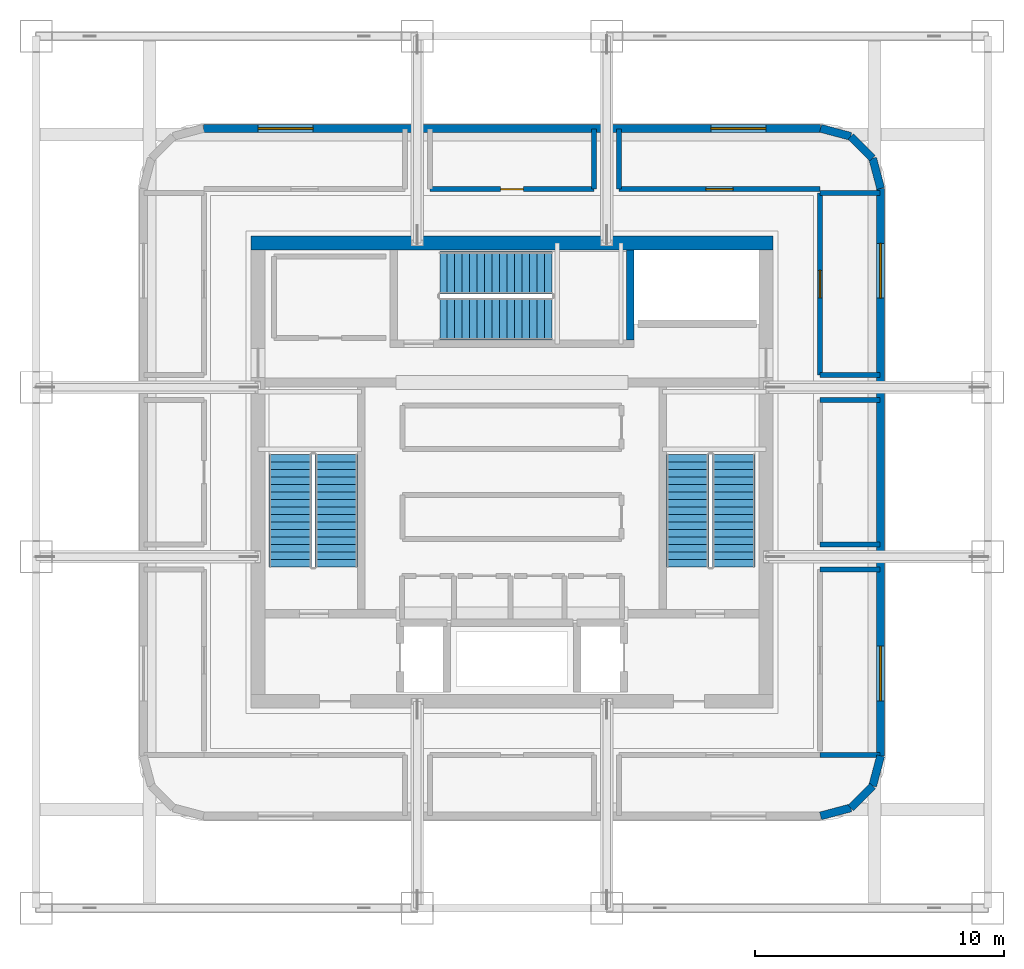
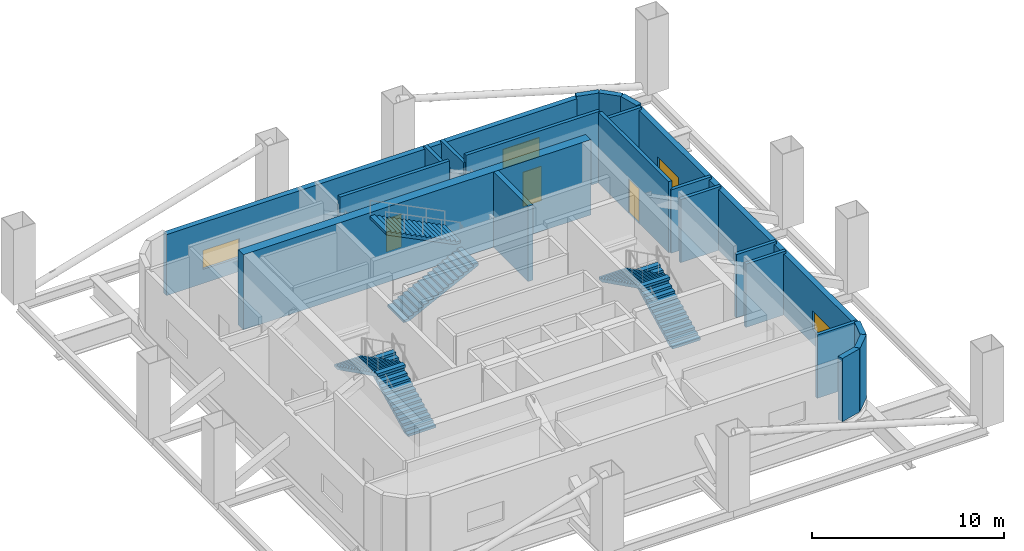
# One storey, part 6 of 8: 21 walls, 6 stair flights, 4 windows, 3 doors, 7 openings, 3 elements without a shape of their own.
"""IFC4 building model written with IfcOpenShell, lengths in metres."""

from ifc_helpers import new_model, si_unit, direction, frame, frame_2d, origin, place, context, subcontext, project, spatial, polyline, rectangle, outline, extrude, material, layer, layer_set, type_object, element, fill, aggregate, save


model = new_model("IFC4")

# Units and contexts
model_context = context("Model", 3, precision=1e-05, world=origin(), true_north=direction((0.0, 1.0)))
body_context = subcontext(model_context, "Body", "Model", "MODEL_VIEW")
ifc_project = project(units=[si_unit("LENGTHUNIT", "METRE"), si_unit("AREAUNIT", "SQUARE_METRE"), si_unit("VOLUMEUNIT", "CUBIC_METRE"), si_unit("PLANEANGLEUNIT", "RADIAN"), si_unit("MASSUNIT", "GRAM", prefix="KILO")], contexts=[model_context])

# Site, building, storey
site_placement = place(None, origin())
site = spatial("IfcSite", under=ifc_project, at=site_placement, CompositionType="ELEMENT")
building_placement = place(site_placement, origin())
building = spatial("IfcBuilding", under=site, at=building_placement, Name="Punatoya Terracotta Tower", CompositionType="ELEMENT")
storey_placement = place(building_placement, frame((0.0, 0.0, 241.800048828125)))
storey = spatial("IfcBuildingStorey", under=building, at=storey_placement, Name="L57", CompositionType="ELEMENT", Elevation=241.800048828125)

# Walls
ifc_material_1 = material(Name="Concrete C50/60", Category="concrete")
ifc_layer_1 = layer(ifc_material_1, 0.550048828125)
ifc_layer_set_1 = layer_set([ifc_layer_1], Name="Concrete C50/60")
wall_type_1 = type_object("IfcWallType", Name="WL-COR-550", PredefinedType="SHEAR", material=ifc_layer_set_1)
wall_1_placement = place(storey_placement, frame((-10.47509765625, 9.199951171875, 0.0), z_axis=(0.0, 0.0, 1.0), x_axis=(1.0, 0.0, 0.0)))
element("IfcWall", 1, at=wall_1_placement, inside=storey, type_object=wall_type_1, Name="L57 Core Shear Wall N", PredefinedType="SHEAR", context=body_context, shape_type="SweptSolid", body=[
    extrude(rectangle(XDim=20.9501953125, YDim=0.550048828125, at=frame_2d((10.47509765625, 0.0))), origin(), (0.0, 0.0, 1.0), 4.800048828125),
])
ifc_material_2 = material(Name="Precast concrete C40/50", Category="concrete")
ifc_layer_2 = layer(ifc_material_2, 0.320068359375)
ifc_layer_set_2 = layer_set([ifc_layer_2], Name="Precast concrete C40/50")
wall_type_2 = type_object("IfcWallType", Name="WL-EXT-320", PredefinedType="SOLIDWALL", material=ifc_layer_set_2)
wall_2_placement = place(storey_placement, frame((12.386962890625, -13.800048828125, 0.0), z_axis=(0.0, 0.0, 1.0), x_axis=(0.966283375382, 0.25748094776, 0.0)))
element("IfcWall", 2, at=wall_2_placement, inside=storey, type_object=wall_type_2, Name="L57 Rounded Terracotta Corner Pier 02", PredefinedType="SOLIDWALL", context=body_context, shape_type="SweptSolid", body=[
    extrude(rectangle(XDim=1.25439453125, YDim=0.320068359375, at=frame_2d((0.627197265625, 0.0))), origin(), (0.0, 0.0, 1.0), 4.033935546875),
])
wall_3_placement = place(storey_placement, frame((13.59912109375, -13.47705078125, 0.0), z_axis=(0.0, 0.0, 1.0), x_axis=(0.707106781187, 0.707106781187, 0.0)))
element("IfcWall", 3, at=wall_3_placement, inside=storey, type_object=wall_type_2, Name="L57 Rounded Terracotta Corner Pier 03", PredefinedType="SOLIDWALL", context=body_context, shape_type="SweptSolid", body=[
    extrude(rectangle(XDim=1.24169921875, YDim=0.320068359375, at=frame_2d((0.620849609375, 0.0))), origin(), (0.0, 0.0, 1.0), 4.033935546875),
])
wall_4_placement = place(storey_placement, frame((14.47705078125, -12.59912109375, 0.0), z_axis=(0.0, 0.0, 1.0), x_axis=(0.25748094776, 0.966283375382, 0.0)))
element("IfcWall", 4, at=wall_4_placement, inside=storey, type_object=wall_type_2, Name="L57 Rounded Terracotta Corner Pier 04", PredefinedType="SOLIDWALL", context=body_context, shape_type="SweptSolid", body=[
    extrude(rectangle(XDim=1.25439453125, YDim=0.320068359375, at=frame_2d((0.627197265625, 0.0))), origin(), (0.0, 0.0, 1.0), 4.033935546875),
])

# Wall, openings, windows
wall_5_placement = place(storey_placement, frame((14.800048828125, -11.386962890625, 0.0), z_axis=(0.0, 0.0, 1.0), x_axis=(0.0, 1.0, 0.0)))
wall_5 = element("IfcWall", 5, at=wall_5_placement, inside=storey, type_object=wall_type_2, Name="L57 Terracotta Louvre Plant Enclosure E", PredefinedType="SOLIDWALL", context=body_context, shape_type="SweptSolid", body=[
    extrude(rectangle(XDim=22.77392578125, YDim=0.320068359375, at=frame_2d((11.386962890625, 0.0))), origin(), (0.0, 0.0, 1.0), 3.884033203125),
])
opening_1_placement = place(wall_5_placement, frame((2.199951171875, 0.0, 0.89990234375)))
opening_1 = element("IfcOpeningElement", 6, at=opening_1_placement, cuts=wall_5, Name="Opening WN-09", PredefinedType="OPENING", context=body_context, shape_type="SweptSolid", body=[
    extrude(rectangle(XDim=2.199951171875, YDim=1.199951171875, at=frame_2d((1.10009765625, 0.60009765625))), frame((0.0, 0.169921875, 0.0), z_axis=(0.0, -1.0, 0.0), x_axis=(1.0, 0.0, 0.0)), (0.0, 0.0, 1.0), 0.340087890625),
])
opening_2_placement = place(wall_5_placement, frame((18.373779296875, 0.0, 0.89990234375)))
opening_2 = element("IfcOpeningElement", 7, at=opening_2_placement, cuts=wall_5, Name="Opening WN-09", PredefinedType="OPENING", context=body_context, shape_type="SweptSolid", body=[
    extrude(rectangle(XDim=2.199951171875, YDim=1.199951171875, at=frame_2d((1.10009765625, 0.60009765625))), frame((0.0, 0.169921875, 0.0), z_axis=(0.0, -1.0, 0.0), x_axis=(1.0, 0.0, 0.0)), (0.0, 0.0, 1.0), 0.340087890625),
])
ifc_material_3 = material(Name="Aluminium 6063-T6 + Double Low-E Glass", Category="aluminium")
window_type = type_object("IfcWindowType", Name="WIN-CLR-2200", PartitioningType="SINGLE_PANEL", PredefinedType="WINDOW", material=ifc_material_3)
window_1_placement = place(opening_1_placement, origin())
window_1 = element("IfcWindow", 8, at=window_1_placement, inside=storey, type_object=window_type, Name="L57 Refuge Daylight Window E1", OverallHeight=1.199951171875, OverallWidth=2.199951171875, PartitioningType="SINGLE_PANEL", PredefinedType="WINDOW", context=body_context, shape_type="SweptSolid", body=[
    extrude(rectangle(XDim=2.199951171875, YDim=1.199951171875, at=frame_2d((1.10009765625, 0.60009765625))), frame((0.0, 0.030029296875, 0.0), z_axis=(0.0, -1.0, 0.0), x_axis=(1.0, 0.0, 0.0)), (0.0, 0.0, 1.0), 0.06005859375),
])
fill(opening_1, window_1)
window_2_placement = place(opening_2_placement, origin())
window_2 = element("IfcWindow", 9, at=window_2_placement, inside=storey, type_object=window_type, Name="L57 Refuge Daylight Window E2", OverallHeight=1.199951171875, OverallWidth=2.199951171875, PartitioningType="SINGLE_PANEL", PredefinedType="WINDOW", context=body_context, shape_type="SweptSolid", body=[
    extrude(rectangle(XDim=2.199951171875, YDim=1.199951171875, at=frame_2d((1.10009765625, 0.60009765625))), frame((0.0, 0.030029296875, 0.0), z_axis=(0.0, -1.0, 0.0), x_axis=(1.0, 0.0, 0.0)), (0.0, 0.0, 1.0), 0.06005859375),
])
fill(opening_2, window_2)

# Walls
wall_6_placement = place(storey_placement, frame((14.800048828125, 11.386962890625, 0.0), z_axis=(0.0, 0.0, 1.0), x_axis=(-0.25748094776, 0.966283375382, 0.0)))
element("IfcWall", 10, at=wall_6_placement, inside=storey, type_object=wall_type_2, Name="L57 Rounded Terracotta Corner Pier 06", PredefinedType="SOLIDWALL", context=body_context, shape_type="SweptSolid", body=[
    extrude(rectangle(XDim=1.25439453125, YDim=0.320068359375, at=frame_2d((0.627197265625, 0.0))), origin(), (0.0, 0.0, 1.0), 4.033935546875),
])
wall_7_placement = place(storey_placement, frame((14.47705078125, 12.59912109375, 0.0), z_axis=(0.0, 0.0, 1.0), x_axis=(-0.707106781187, 0.707106781187, 0.0)))
element("IfcWall", 11, at=wall_7_placement, inside=storey, type_object=wall_type_2, Name="L57 Rounded Terracotta Corner Pier 07", PredefinedType="SOLIDWALL", context=body_context, shape_type="SweptSolid", body=[
    extrude(rectangle(XDim=1.24169921875, YDim=0.320068359375, at=frame_2d((0.620849609375, 0.0))), origin(), (0.0, 0.0, 1.0), 4.033935546875),
])
wall_8_placement = place(storey_placement, frame((13.59912109375, 13.47705078125, 0.0), z_axis=(0.0, 0.0, 1.0), x_axis=(-0.966283375382, 0.25748094776, 0.0)))
element("IfcWall", 12, at=wall_8_placement, inside=storey, type_object=wall_type_2, Name="L57 Rounded Terracotta Corner Pier 08", PredefinedType="SOLIDWALL", context=body_context, shape_type="SweptSolid", body=[
    extrude(rectangle(XDim=1.25439453125, YDim=0.320068359375, at=frame_2d((0.627197265625, 0.0))), origin(), (0.0, 0.0, 1.0), 4.033935546875),
])

# Wall, openings, windows
wall_9_placement = place(storey_placement, frame((12.386962890625, 13.800048828125, 0.0), z_axis=(0.0, 0.0, 1.0), x_axis=(-1.0, 0.0, 0.0)))
wall_9 = element("IfcWall", 13, at=wall_9_placement, inside=storey, type_object=wall_type_2, Name="L57 Terracotta Louvre Plant Enclosure N", PredefinedType="SOLIDWALL", context=body_context, shape_type="SweptSolid", body=[
    extrude(rectangle(XDim=24.77392578125, YDim=0.320068359375, at=frame_2d((12.386962890625, 0.0))), origin(), (0.0, 0.0, 1.0), 3.884033203125),
])
opening_3_placement = place(wall_9_placement, frame((2.199951171875, 0.0, 0.89990234375)))
opening_3 = element("IfcOpeningElement", 14, at=opening_3_placement, cuts=wall_9, Name="Opening WN-09", PredefinedType="OPENING", context=body_context, shape_type="SweptSolid", body=[
    extrude(rectangle(XDim=2.199951171875, YDim=1.199951171875, at=frame_2d((1.10009765625, 0.60009765625))), frame((0.0, 0.169921875, 0.0), z_axis=(0.0, -1.0, 0.0), x_axis=(1.0, 0.0, 0.0)), (0.0, 0.0, 1.0), 0.340087890625),
])
opening_4_placement = place(wall_9_placement, frame((20.373779296875, 0.0, 0.89990234375)))
opening_4 = element("IfcOpeningElement", 15, at=opening_4_placement, cuts=wall_9, Name="Opening WN-09", PredefinedType="OPENING", context=body_context, shape_type="SweptSolid", body=[
    extrude(rectangle(XDim=2.199951171875, YDim=1.199951171875, at=frame_2d((1.10009765625, 0.60009765625))), frame((0.0, 0.169921875, 0.0), z_axis=(0.0, -1.0, 0.0), x_axis=(1.0, 0.0, 0.0)), (0.0, 0.0, 1.0), 0.340087890625),
])
window_3_placement = place(opening_3_placement, origin())
window_3 = element("IfcWindow", 16, at=window_3_placement, inside=storey, type_object=window_type, Name="L57 Refuge Daylight Window N1", OverallHeight=1.199951171875, OverallWidth=2.199951171875, PartitioningType="SINGLE_PANEL", PredefinedType="WINDOW", context=body_context, shape_type="SweptSolid", body=[
    extrude(rectangle(XDim=2.199951171875, YDim=1.199951171875, at=frame_2d((1.10009765625, 0.60009765625))), frame((0.0, 0.030029296875, 0.0), z_axis=(0.0, -1.0, 0.0), x_axis=(1.0, 0.0, 0.0)), (0.0, 0.0, 1.0), 0.06005859375),
])
fill(opening_3, window_3)
window_4_placement = place(opening_4_placement, origin())
window_4 = element("IfcWindow", 17, at=window_4_placement, inside=storey, type_object=window_type, Name="L57 Refuge Daylight Window N2", OverallHeight=1.199951171875, OverallWidth=2.199951171875, PartitioningType="SINGLE_PANEL", PredefinedType="WINDOW", context=body_context, shape_type="SweptSolid", body=[
    extrude(rectangle(XDim=2.199951171875, YDim=1.199951171875, at=frame_2d((1.10009765625, 0.60009765625))), frame((0.0, 0.030029296875, 0.0), z_axis=(0.0, -1.0, 0.0), x_axis=(1.0, 0.0, 0.0)), (0.0, 0.0, 1.0), 0.06005859375),
])
fill(opening_4, window_4)

# Walls
ifc_material_4 = material(Name="Concrete C40/50", Category="concrete")
ifc_layer_3 = layer(ifc_material_4, 0.199951171875)
ifc_layer_set_3 = layer_set([ifc_layer_3], Name="Concrete C40/50")
wall_type_3 = type_object("IfcWallType", Name="WL-INT-200", PredefinedType="SOLIDWALL", material=ifc_layer_set_3)
for number, where, z_axis, x_axis, name in (
    (18, (12.360107421875, -11.35009765625, 0.0), (0.0, 0.0, 1.0), (1.0, 0.0, 0.0), "L57 Designated Pressurized Refuge Area South (East Bay) Partition 29"),
    (19, (12.360107421875, -3.89990234375, 0.0), (0.0, 0.0, 1.0), (1.0, 0.0, 0.0), "L57 East Outrigger Truss & Heat-Exchanger Plant Room (South Bay) Partition 38"),
    (20, (12.360107421875, 2.89990234375, 0.0), (0.0, 0.0, 1.0), (1.0, 0.0, 0.0), "L57 East Outrigger Truss & Heat-Exchanger Plant Room (Central Bay) Partition 41"),
    (21, (14.780029296875, -2.89990234375, 0.0), (0.0, 0.0, 1.0), (-1.0, 0.0, 0.0), "L57 East Outrigger Truss & Heat-Exchanger Plant Room (Central Bay) Partition 42"),
    (22, (14.780029296875, 3.89990234375, 0.0), (0.0, 0.0, 1.0), (-1.0, 0.0, 0.0), "L57 East Outrigger Truss & Heat-Exchanger Plant Room (North Bay) Partition 43"),
):
    element("IfcWall", number, at=place(storey_placement, frame(where, z_axis=z_axis, x_axis=x_axis)), inside=storey, type_object=wall_type_3, Name=name, PredefinedType="SOLIDWALL", context=body_context, shape_type="SweptSolid", body=[
        extrude(rectangle(XDim=2.419921875, YDim=0.199951171875, at=frame_2d((1.2099609375, 0.0))), origin(), (0.0, 0.0, 1.0), 4.033935546875),
    ])

# Wall, opening, door
wall_10_placement = place(storey_placement, frame((12.360107421875, 3.89990234375, 0.0), z_axis=(0.0, 0.0, 1.0), x_axis=(0.0, 1.0, 0.0)))
wall_10 = element("IfcWall", 23, at=wall_10_placement, inside=storey, type_object=wall_type_3, Name="L57 East Outrigger Truss & Heat-Exchanger Plant Room (North Bay) Partition 44", PredefinedType="SOLIDWALL", context=body_context, shape_type="SweptSolid", body=[
    extrude(rectangle(XDim=7.300048828125, YDim=0.199951171875, at=frame_2d((3.64990234375, 0.0))), origin(), (0.0, 0.0, 1.0), 4.5400390625),
])
opening_5_placement = place(wall_10_placement, frame((3.10009765625, 0.0, 0.0)))
opening_5 = element("IfcOpeningElement", 24, at=opening_5_placement, cuts=wall_10, Name="Opening FD-P1", PredefinedType="OPENING", context=body_context, shape_type="SweptSolid", body=[
    extrude(rectangle(XDim=1.10009765625, YDim=2.199951171875, at=frame_2d((0.550048828125, 1.10009765625))), frame((0.0, 0.10986328125, 0.0), z_axis=(0.0, -1.0, 0.0), x_axis=(1.0, 0.0, 0.0)), (0.0, 0.0, 1.0), 0.219970703125),
])
ifc_material_5 = material(Name="Galvanised Steel Plant Fire Door", Category="steel")
door_type_1 = type_object("IfcDoorType", Name="DR-PLT-1100", OperationType="NOTDEFINED", PredefinedType="DOOR", material=ifc_material_5)
door_1_placement = place(opening_5_placement, origin())
door_1 = element("IfcDoor", 25, at=door_1_placement, inside=storey, type_object=door_type_1, Name="L57 East Outrigger Truss & Heat-Exchanger Plant Room (North Bay) Fire Door", OperationType="SINGLE_SWING_LEFT", OverallHeight=2.199951171875, OverallWidth=1.10009765625, PredefinedType="DOOR", context=body_context, shape_type="SweptSolid", body=[
    extrude(rectangle(XDim=1.10009765625, YDim=2.199951171875, at=frame_2d((0.550048828125, 1.10009765625))), frame((0.0, 0.02490234375, 0.0), z_axis=(0.0, -1.0, 0.0), x_axis=(1.0, 0.0, 0.0)), (0.0, 0.0, 1.0), 0.050048828125),
])
fill(opening_5, door_1)

# Wall
wall_11_placement = place(storey_placement, frame((12.360107421875, 11.199951171875, 0.0), z_axis=(0.0, 0.0, 1.0), x_axis=(1.0, 0.0, 0.0)))
element("IfcWall", 26, at=wall_11_placement, inside=storey, type_object=wall_type_3, Name="L57 East Outrigger Truss & Heat-Exchanger Plant Room (North Bay) Partition 45", PredefinedType="SOLIDWALL", context=body_context, shape_type="SweptSolid", body=[
    extrude(rectangle(XDim=2.419921875, YDim=0.199951171875, at=frame_2d((1.2099609375, 0.0))), origin(), (0.0, 0.0, 1.0), 4.033935546875),
])

# Wall, opening, door
wall_12_placement = place(storey_placement, frame((3.300048828125, 11.360107421875, 0.0), z_axis=(0.0, 0.0, 1.0), x_axis=(-1.0, 0.0, 0.0)))
wall_12 = element("IfcWall", 27, at=wall_12_placement, inside=storey, type_object=wall_type_3, Name="L57 North Electrical Transformer Plant Room (Central Bay) Partition 48", PredefinedType="SOLIDWALL", context=body_context, shape_type="SweptSolid", body=[
    extrude(rectangle(XDim=6.60009765625, YDim=0.199951171875, at=frame_2d((3.300048828125, 0.0))), origin(), (0.0, 0.0, 1.0), 4.5400390625),
])
opening_6_placement = place(wall_12_placement, frame((2.840087890625, 0.0, 0.0)))
opening_6 = element("IfcOpeningElement", 28, at=opening_6_placement, cuts=wall_12, Name="Opening FD-R1", PredefinedType="OPENING", context=body_context, shape_type="SweptSolid", body=[
    extrude(rectangle(XDim=0.919921875, YDim=2.10009765625, at=frame_2d((0.4599609375, 1.050048828125))), frame((0.0, 0.10986328125, 0.0), z_axis=(0.0, -1.0, 0.0), x_axis=(1.0, 0.0, 0.0)), (0.0, 0.0, 1.0), 0.219970703125),
])
ifc_material_6 = material(Name="Galvanised Steel Riser Fire Access Door", Category="steel")
door_type_2 = type_object("IfcDoorType", Name="DR-RSR-920", OperationType="NOTDEFINED", PredefinedType="DOOR", material=ifc_material_6)
door_2_placement = place(opening_6_placement, origin())
door_2 = element("IfcDoor", 29, at=door_2_placement, inside=storey, type_object=door_type_2, Name="L57 North Electrical Transformer Plant Room (Central Bay) Fire Door", OperationType="SINGLE_SWING_LEFT", OverallHeight=2.10009765625, OverallWidth=0.919921875, PredefinedType="DOOR", context=body_context, shape_type="SweptSolid", body=[
    extrude(rectangle(XDim=0.919921875, YDim=2.10009765625, at=frame_2d((0.4599609375, 1.050048828125))), frame((0.0, 0.02490234375, 0.0), z_axis=(0.0, -1.0, 0.0), x_axis=(1.0, 0.0, 0.0)), (0.0, 0.0, 1.0), 0.050048828125),
])
fill(opening_6, door_2)

# Wall
wall_13_placement = place(storey_placement, frame((3.300048828125, 13.780029296875, 0.0), z_axis=(0.0, 0.0, 1.0), x_axis=(0.0, -1.0, 0.0)))
element("IfcWall", 30, at=wall_13_placement, inside=storey, type_object=wall_type_3, Name="L57 North Electrical Transformer Plant Room (Central Bay) Partition 50", PredefinedType="SOLIDWALL", context=body_context, shape_type="SweptSolid", body=[
    extrude(rectangle(XDim=2.419921875, YDim=0.199951171875, at=frame_2d((1.2099609375, 0.0))), origin(), (0.0, 0.0, 1.0), 4.033935546875),
])

# Wall, opening, door
wall_14_placement = place(storey_placement, frame((12.360107421875, 11.360107421875, 0.0), z_axis=(0.0, 0.0, 1.0), x_axis=(-1.0, 0.0, 0.0)))
wall_14 = element("IfcWall", 31, at=wall_14_placement, inside=storey, type_object=wall_type_3, Name="L57 North Electrical Transformer Plant Room (East Bay) Partition 51", PredefinedType="SOLIDWALL", context=body_context, shape_type="SweptSolid", body=[
    extrude(rectangle(XDim=8.06005859375, YDim=0.199951171875, at=frame_2d((4.030029296875, 0.0))), origin(), (0.0, 0.0, 1.0), 4.5400390625),
])
opening_7_placement = place(wall_14_placement, frame((3.47998046875, 0.0, 0.0)))
opening_7 = element("IfcOpeningElement", 32, at=opening_7_placement, cuts=wall_14, Name="Opening FD-P1", PredefinedType="OPENING", context=body_context, shape_type="SweptSolid", body=[
    extrude(rectangle(XDim=1.10009765625, YDim=2.199951171875, at=frame_2d((0.550048828125, 1.10009765625))), frame((0.0, 0.10986328125, 0.0), z_axis=(0.0, -1.0, 0.0), x_axis=(1.0, 0.0, 0.0)), (0.0, 0.0, 1.0), 0.219970703125),
])
door_3_placement = place(opening_7_placement, origin())
door_3 = element("IfcDoor", 33, at=door_3_placement, inside=storey, type_object=door_type_1, Name="L57 North Electrical Transformer Plant Room (East Bay) Fire Door", OperationType="SINGLE_SWING_RIGHT", OverallHeight=2.199951171875, OverallWidth=1.10009765625, PredefinedType="DOOR", context=body_context, shape_type="SweptSolid", body=[
    extrude(rectangle(XDim=1.10009765625, YDim=2.199951171875, at=frame_2d((0.550048828125, 1.10009765625))), frame((0.0, 0.02490234375, 0.0), z_axis=(0.0, -1.0, 0.0), x_axis=(1.0, 0.0, 0.0)), (0.0, 0.0, 1.0), 0.050048828125),
])
fill(opening_7, door_3)

# Walls
wall_15_placement = place(storey_placement, frame((4.300048828125, 11.360107421875, 0.0), z_axis=(0.0, 0.0, 1.0), x_axis=(0.0, 1.0, 0.0)))
element("IfcWall", 34, at=wall_15_placement, inside=storey, type_object=wall_type_3, Name="L57 North Electrical Transformer Plant Room (East Bay) Partition 52", PredefinedType="SOLIDWALL", context=body_context, shape_type="SweptSolid", body=[
    extrude(rectangle(XDim=2.419921875, YDim=0.199951171875, at=frame_2d((1.2099609375, 0.0))), origin(), (0.0, 0.0, 1.0), 4.033935546875),
])
ifc_layer_4 = layer(ifc_material_4, 0.300048828125)
ifc_layer_set_4 = layer_set([ifc_layer_4], Name="Concrete C40/50")
wall_type_4 = type_object("IfcWallType", Name="WL-SHF-300", PredefinedType="SOLIDWALL", material=ifc_layer_set_4)
wall_16_placement = place(storey_placement, frame((4.75, 8.925048828125, 0.0), z_axis=(0.0, 0.0, 1.0), x_axis=(0.0, -1.0, 0.0)))
element("IfcWall", 35, at=wall_16_placement, inside=storey, type_object=wall_type_4, Name="L57 Structural Stair Shaft Wall SW-ST3-E", PredefinedType="SOLIDWALL", context=body_context, shape_type="SweptSolid", body=[
    extrude(rectangle(XDim=3.625, YDim=0.300048828125, at=frame_2d((1.8125, 0.0))), origin(), (0.0, 0.0, 1.0), 4.800048828125),
])

# Stair, stair flights
stair_type_1 = type_object("IfcStairType", Name="STR-CORE-1550", PredefinedType="HALF_TURN_STAIR", material=ifc_material_4)
stair_1_placement = place(storey_placement, origin())
stair_1 = element("IfcStair", 36, at=stair_1_placement, inside=storey, type_object=stair_type_1, Name="L57 Protected Core Exit Stair ST-1", PredefinedType="HALF_TURN_STAIR")
stair_flight_type_1 = type_object("IfcStairFlightType", Name="SFL-CORE-1550", PredefinedType="STRAIGHT", material=ifc_material_4)
stair_flight_1_placement = place(storey_placement, frame((-7.050048828125, -3.800048828125, 0.0), z_axis=(0.0, 0.0, 1.0), x_axis=(0.0, 1.0, 0.0)))
stair_flight_1 = element("IfcStairFlight", 37, at=stair_flight_1_placement, type_object=stair_flight_type_1, Name="ST-1 flight 1", NumberOfRisers=16, NumberOfTreads=15, PredefinedType="STRAIGHT", RiserHeight=0.15, TreadLength=0.3, context=body_context, shape_type="SweptSolid", body=[
    extrude(outline(polyline([(0.0, 0.0), (0.0, 0.14990234375), (0.300048828125, 0.14990234375), (0.300048828125, 0.300048828125), (0.60009765625, 0.300048828125), (0.60009765625, 0.449951171875), (0.89990234375, 0.449951171875), (0.89990234375, 0.60009765625), (1.199951171875, 0.60009765625), (1.199951171875, 0.75), (1.5, 0.75), (1.5, 0.89990234375), (1.800048828125, 0.89990234375), (1.800048828125, 1.050048828125), (2.10009765625, 1.050048828125), (2.10009765625, 1.199951171875), (2.39990234375, 1.199951171875), (2.39990234375, 1.35009765625), (2.699951171875, 1.35009765625), (2.699951171875, 1.5), (3.0, 1.5), (3.0, 1.64990234375), (3.300048828125, 1.64990234375), (3.300048828125, 1.800048828125), (3.60009765625, 1.800048828125), (3.60009765625, 1.949951171875), (3.89990234375, 1.949951171875), (3.89990234375, 2.10009765625), (4.199951171875, 2.10009765625), (4.199951171875, 2.25), (4.5, 2.25), (4.5, 2.39990234375), (4.5, 2.08251953125), (0.335205078125, 0.0), (0.0, 0.0)])), frame((0.0, 0.85009765625, 0.0), z_axis=(0.0, -1.0, 0.0), x_axis=(1.0, 0.0, 0.0)), (0.0, 0.0, 1.0), 1.699951171875),
])
stair_flight_2_placement = place(storey_placement, frame((-8.89990234375, 0.699951171875, 2.39990234375), z_axis=(0.0, 0.0, 1.0), x_axis=(0.0, -1.0, 0.0)))
stair_flight_2 = element("IfcStairFlight", 38, at=stair_flight_2_placement, type_object=stair_flight_type_1, Name="ST-1 flight 2", NumberOfRisers=16, NumberOfTreads=15, PredefinedType="STRAIGHT", RiserHeight=0.15, TreadLength=0.3, context=body_context, shape_type="SweptSolid", body=[
    extrude(outline(polyline([(0.0, 0.0), (0.0, 0.14990234375), (0.300048828125, 0.14990234375), (0.300048828125, 0.300048828125), (0.60009765625, 0.300048828125), (0.60009765625, 0.449951171875), (0.89990234375, 0.449951171875), (0.89990234375, 0.60009765625), (1.199951171875, 0.60009765625), (1.199951171875, 0.75), (1.5, 0.75), (1.5, 0.89990234375), (1.800048828125, 0.89990234375), (1.800048828125, 1.050048828125), (2.10009765625, 1.050048828125), (2.10009765625, 1.199951171875), (2.39990234375, 1.199951171875), (2.39990234375, 1.35009765625), (2.699951171875, 1.35009765625), (2.699951171875, 1.5), (3.0, 1.5), (3.0, 1.64990234375), (3.300048828125, 1.64990234375), (3.300048828125, 1.800048828125), (3.60009765625, 1.800048828125), (3.60009765625, 1.949951171875), (3.89990234375, 1.949951171875), (3.89990234375, 2.10009765625), (4.199951171875, 2.10009765625), (4.199951171875, 2.25), (4.5, 2.25), (4.5, 2.39990234375), (4.5, 2.08251953125), (0.335205078125, 0.0), (0.0, 0.0)])), frame((0.0, 0.85009765625, 0.0), z_axis=(0.0, -1.0, 0.0), x_axis=(1.0, 0.0, 0.0)), (0.0, 0.0, 1.0), 1.699951171875),
])
aggregate(stair_1, [stair_flight_1, stair_flight_2])

stair_type_2 = type_object("IfcStairType", Name="STR-LOB-1650", PredefinedType="HALF_TURN_STAIR", material=ifc_material_4)
stair_2_placement = place(storey_placement, origin())
stair_2 = element("IfcStair", 39, at=stair_2_placement, inside=storey, type_object=stair_type_2, Name="L57 Protected Core Exit Stair ST-2", PredefinedType="HALF_TURN_STAIR")
stair_flight_type_2 = type_object("IfcStairFlightType", Name="SFL-LOB-1650", PredefinedType="STRAIGHT", material=ifc_material_4)
stair_flight_3_placement = place(storey_placement, frame((8.89990234375, -3.800048828125, 0.0), z_axis=(0.0, 0.0, 1.0), x_axis=(0.0, 1.0, 0.0)))
stair_flight_3 = element("IfcStairFlight", 40, at=stair_flight_3_placement, type_object=stair_flight_type_2, Name="ST-2 flight 1", NumberOfRisers=16, NumberOfTreads=15, PredefinedType="STRAIGHT", RiserHeight=0.15, TreadLength=0.3, context=body_context, shape_type="SweptSolid", body=[
    extrude(outline(polyline([(0.0, 0.0), (0.0, 0.14990234375), (0.300048828125, 0.14990234375), (0.300048828125, 0.300048828125), (0.60009765625, 0.300048828125), (0.60009765625, 0.449951171875), (0.89990234375, 0.449951171875), (0.89990234375, 0.60009765625), (1.199951171875, 0.60009765625), (1.199951171875, 0.75), (1.5, 0.75), (1.5, 0.89990234375), (1.800048828125, 0.89990234375), (1.800048828125, 1.050048828125), (2.10009765625, 1.050048828125), (2.10009765625, 1.199951171875), (2.39990234375, 1.199951171875), (2.39990234375, 1.35009765625), (2.699951171875, 1.35009765625), (2.699951171875, 1.5), (3.0, 1.5), (3.0, 1.64990234375), (3.300048828125, 1.64990234375), (3.300048828125, 1.800048828125), (3.60009765625, 1.800048828125), (3.60009765625, 1.949951171875), (3.89990234375, 1.949951171875), (3.89990234375, 2.10009765625), (4.199951171875, 2.10009765625), (4.199951171875, 2.25), (4.5, 2.25), (4.5, 2.39990234375), (4.5, 2.08251953125), (0.335205078125, 0.0), (0.0, 0.0)])), frame((0.0, 0.85009765625, 0.0), z_axis=(0.0, -1.0, 0.0), x_axis=(1.0, 0.0, 0.0)), (0.0, 0.0, 1.0), 1.699951171875),
])
stair_flight_4_placement = place(storey_placement, frame((7.050048828125, 0.699951171875, 2.39990234375), z_axis=(0.0, 0.0, 1.0), x_axis=(0.0, -1.0, 0.0)))
stair_flight_4 = element("IfcStairFlight", 41, at=stair_flight_4_placement, type_object=stair_flight_type_2, Name="ST-2 flight 2", NumberOfRisers=16, NumberOfTreads=15, PredefinedType="STRAIGHT", RiserHeight=0.15, TreadLength=0.3, context=body_context, shape_type="SweptSolid", body=[
    extrude(outline(polyline([(0.0, 0.0), (0.0, 0.14990234375), (0.300048828125, 0.14990234375), (0.300048828125, 0.300048828125), (0.60009765625, 0.300048828125), (0.60009765625, 0.449951171875), (0.89990234375, 0.449951171875), (0.89990234375, 0.60009765625), (1.199951171875, 0.60009765625), (1.199951171875, 0.75), (1.5, 0.75), (1.5, 0.89990234375), (1.800048828125, 0.89990234375), (1.800048828125, 1.050048828125), (2.10009765625, 1.050048828125), (2.10009765625, 1.199951171875), (2.39990234375, 1.199951171875), (2.39990234375, 1.35009765625), (2.699951171875, 1.35009765625), (2.699951171875, 1.5), (3.0, 1.5), (3.0, 1.64990234375), (3.300048828125, 1.64990234375), (3.300048828125, 1.800048828125), (3.60009765625, 1.800048828125), (3.60009765625, 1.949951171875), (3.89990234375, 1.949951171875), (3.89990234375, 2.10009765625), (4.199951171875, 2.10009765625), (4.199951171875, 2.25), (4.5, 2.25), (4.5, 2.39990234375), (4.5, 2.08251953125), (0.335205078125, 0.0), (0.0, 0.0)])), frame((0.0, 0.85009765625, 0.0), z_axis=(0.0, -1.0, 0.0), x_axis=(1.0, 0.0, 0.0)), (0.0, 0.0, 1.0), 1.699951171875),
])
aggregate(stair_2, [stair_flight_3, stair_flight_4])

stair_type_3 = type_object("IfcStairType", Name="STR-TER-1450", PredefinedType="HALF_TURN_STAIR", material=ifc_material_4)
stair_3_placement = place(storey_placement, origin())
stair_3 = element("IfcStair", 42, at=stair_3_placement, inside=storey, type_object=stair_type_3, Name="L57 Protected Core Exit Stair ST-3", PredefinedType="HALF_TURN_STAIR")
stair_flight_type_3 = type_object("IfcStairFlightType", Name="SFL-TER-1450", PredefinedType="STRAIGHT", material=ifc_material_4)
stair_flight_5_placement = place(storey_placement, frame((-2.89990234375, 6.14990234375, 0.0), z_axis=(0.0, 0.0, 1.0), x_axis=(1.0, 0.0, 0.0)))
stair_flight_5 = element("IfcStairFlight", 43, at=stair_flight_5_placement, type_object=stair_flight_type_3, Name="ST-3 flight 1", NumberOfRisers=16, NumberOfTreads=15, PredefinedType="STRAIGHT", RiserHeight=0.15, TreadLength=0.3, context=body_context, shape_type="SweptSolid", body=[
    extrude(outline(polyline([(0.0, 0.0), (0.0, 0.14990234375), (0.300048828125, 0.14990234375), (0.300048828125, 0.300048828125), (0.60009765625, 0.300048828125), (0.60009765625, 0.449951171875), (0.89990234375, 0.449951171875), (0.89990234375, 0.60009765625), (1.199951171875, 0.60009765625), (1.199951171875, 0.75), (1.5, 0.75), (1.5, 0.89990234375), (1.800048828125, 0.89990234375), (1.800048828125, 1.050048828125), (2.10009765625, 1.050048828125), (2.10009765625, 1.199951171875), (2.39990234375, 1.199951171875), (2.39990234375, 1.35009765625), (2.699951171875, 1.35009765625), (2.699951171875, 1.5), (3.0, 1.5), (3.0, 1.64990234375), (3.300048828125, 1.64990234375), (3.300048828125, 1.800048828125), (3.60009765625, 1.800048828125), (3.60009765625, 1.949951171875), (3.89990234375, 1.949951171875), (3.89990234375, 2.10009765625), (4.199951171875, 2.10009765625), (4.199951171875, 2.25), (4.5, 2.25), (4.5, 2.39990234375), (4.5, 2.08251953125), (0.335205078125, 0.0), (0.0, 0.0)])), frame((0.0, 0.85009765625, 0.0), z_axis=(0.0, -1.0, 0.0), x_axis=(1.0, 0.0, 0.0)), (0.0, 0.0, 1.0), 1.699951171875),
])
stair_flight_6_placement = place(storey_placement, frame((1.60009765625, 8.0, 2.39990234375), z_axis=(0.0, 0.0, 1.0), x_axis=(-1.0, 0.0, 0.0)))
stair_flight_6 = element("IfcStairFlight", 44, at=stair_flight_6_placement, type_object=stair_flight_type_3, Name="ST-3 flight 2", NumberOfRisers=16, NumberOfTreads=15, PredefinedType="STRAIGHT", RiserHeight=0.15, TreadLength=0.3, context=body_context, shape_type="SweptSolid", body=[
    extrude(outline(polyline([(0.0, 0.0), (0.0, 0.14990234375), (0.300048828125, 0.14990234375), (0.300048828125, 0.300048828125), (0.60009765625, 0.300048828125), (0.60009765625, 0.449951171875), (0.89990234375, 0.449951171875), (0.89990234375, 0.60009765625), (1.199951171875, 0.60009765625), (1.199951171875, 0.75), (1.5, 0.75), (1.5, 0.89990234375), (1.800048828125, 0.89990234375), (1.800048828125, 1.050048828125), (2.10009765625, 1.050048828125), (2.10009765625, 1.199951171875), (2.39990234375, 1.199951171875), (2.39990234375, 1.35009765625), (2.699951171875, 1.35009765625), (2.699951171875, 1.5), (3.0, 1.5), (3.0, 1.64990234375), (3.300048828125, 1.64990234375), (3.300048828125, 1.800048828125), (3.60009765625, 1.800048828125), (3.60009765625, 1.949951171875), (3.89990234375, 1.949951171875), (3.89990234375, 2.10009765625), (4.199951171875, 2.10009765625), (4.199951171875, 2.25), (4.5, 2.25), (4.5, 2.39990234375), (4.5, 2.08251953125), (0.335205078125, 0.0), (0.0, 0.0)])), frame((0.0, 0.85009765625, 0.0), z_axis=(0.0, -1.0, 0.0), x_axis=(1.0, 0.0, 0.0)), (0.0, 0.0, 1.0), 1.699951171875),
])
aggregate(stair_3, [stair_flight_5, stair_flight_6])

save(model, "model.ifc")
